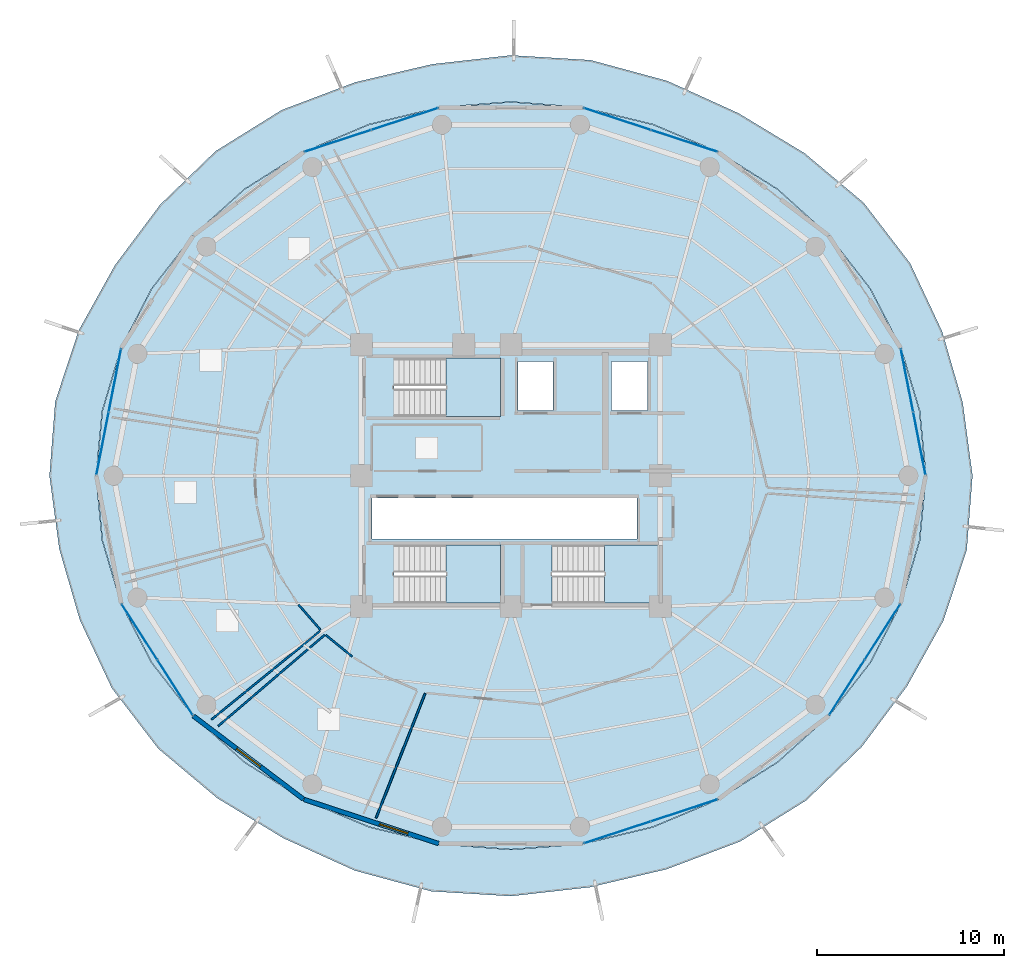
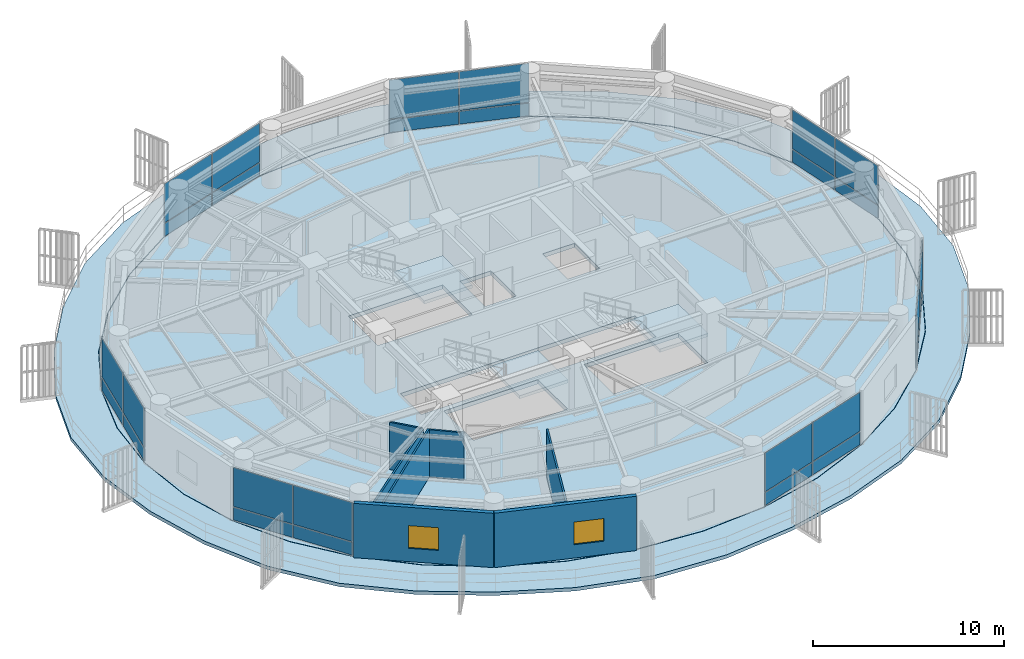
# One storey, part 24 of 31: 28 plates, 7 walls, 5 slabs, 2 windows, 2 openings, 10 elements without a shape of their own.
"""IFC4 building model written with IfcOpenShell, lengths in metres."""

from ifc_helpers import new_model, si_unit, direction, frame, frame_2d, origin, origin_2d, place, context, subcontext, project, spatial, polyline, rectangle, outline, extrude, source, transform, mapped, material, layer, layer_set, type_object, element, fill, aggregate, save


model = new_model("IFC4")

# Units and contexts
model_context = context("Model", 3, precision=1e-05, world=origin(), true_north=direction((0.0, 1.0)))
body_context = subcontext(model_context, "Body", "Model", "MODEL_VIEW")
ifc_project = project(units=[si_unit("LENGTHUNIT", "METRE"), si_unit("AREAUNIT", "SQUARE_METRE"), si_unit("VOLUMEUNIT", "CUBIC_METRE"), si_unit("PLANEANGLEUNIT", "RADIAN"), si_unit("MASSUNIT", "GRAM", prefix="KILO")], contexts=[model_context])

# Site, building, storey
site_placement = place(None, origin())
site = spatial("IfcSite", under=ifc_project, at=site_placement, CompositionType="ELEMENT")
building_placement = place(site_placement, origin())
building = spatial("IfcBuilding", under=site, at=building_placement, Name="Kelanora Arch Commons", CompositionType="ELEMENT")
storey_placement = place(building_placement, frame((0.0, 0.0, 193.199951171875)))
storey = spatial("IfcBuildingStorey", under=building, at=storey_placement, Name="L49", CompositionType="ELEMENT", Elevation=193.199951171875)

# Stair, slab
ifc_material_1 = material(Name="Concrete C40/50", Category="concrete")
stair_type = type_object("IfcStairType", Name="STR-DL-375", PredefinedType="HALF_TURN_STAIR", material=ifc_material_1)
stair_1_placement = place(storey_placement, origin())
stair_1 = element("IfcStair", 1, at=stair_1_placement, inside=storey, type_object=stair_type, Name="L49 ST-T1", PredefinedType="HALF_TURN_STAIR")
ifc_layer_1 = layer(ifc_material_1, 0.199951171875)
ifc_layer_set_1 = layer_set([ifc_layer_1], Name="Concrete C40/50")
slab_type_1 = type_object("IfcSlabType", Name="SLB-STAIR-LND", PredefinedType="LANDING", material=ifc_layer_set_1)
slab_1_placement = place(storey_placement, frame((0.0, 0.0, 1.675048828125)))
slab_1 = element("IfcSlab", 2, at=slab_1_placement, type_object=slab_type_1, Name="ST-T1 landing 1", PredefinedType="LANDING", context=body_context, shape_type="SweptSolid", body=[
    extrude(outline(polyline([(70.52001953125, 61.179931640625), (73.43994140625, 61.179931640625), (73.43994140625, 64.2900390625), (70.52001953125, 64.2900390625), (70.52001953125, 61.179931640625)])), origin(), (0.0, 0.0, 1.0), 0.199951171875),
])
aggregate(stair_1, [slab_1])

stair_2_placement = place(storey_placement, origin())
stair_2 = element("IfcStair", 3, at=stair_2_placement, inside=storey, type_object=stair_type, Name="L49 ST-T2", PredefinedType="HALF_TURN_STAIR")
slab_2_placement = place(storey_placement, frame((0.0, 0.0, 1.675048828125)))
slab_2 = element("IfcSlab", 4, at=slab_2_placement, type_object=slab_type_1, Name="ST-T2 landing 1", PredefinedType="LANDING", context=body_context, shape_type="SweptSolid", body=[
    extrude(outline(polyline([(79.0, 51.179931640625), (81.919921875, 51.179931640625), (81.919921875, 54.2900390625), (79.0, 54.2900390625), (79.0, 51.179931640625)])), origin(), (0.0, 0.0, 1.0), 0.199951171875),
])
aggregate(stair_2, [slab_2])

stair_3_placement = place(storey_placement, origin())
stair_3 = element("IfcStair", 5, at=stair_3_placement, inside=storey, type_object=stair_type, Name="L49 ST-T3", PredefinedType="HALF_TURN_STAIR")
slab_3_placement = place(storey_placement, frame((0.0, 0.0, 1.675048828125)))
slab_3 = element("IfcSlab", 6, at=slab_3_placement, type_object=slab_type_1, Name="ST-T3 landing 1", PredefinedType="LANDING", context=body_context, shape_type="SweptSolid", body=[
    extrude(outline(polyline([(70.52001953125, 51.179931640625), (73.43994140625, 51.179931640625), (73.43994140625, 54.2900390625), (70.52001953125, 54.2900390625), (70.52001953125, 51.179931640625)])), origin(), (0.0, 0.0, 1.0), 0.199951171875),
])
aggregate(stair_3, [slab_3])

# Slabs
ifc_layer_2 = layer(ifc_material_1, 0.260009765625)
ifc_layer_set_2 = layer_set([ifc_layer_2], Name="Concrete C40/50")
slab_type_2 = type_object("IfcSlabType", Name="SLB-TWR-TYP", PredefinedType="FLOOR", material=ifc_layer_set_2)
slab_4_placement = place(storey_placement, frame((0.0, 0.0, -0.260009765625)))
element("IfcSlab", 7, at=slab_4_placement, inside=storey, type_object=slab_type_2, Name="Tower Floor Slab L49", PredefinedType="FLOOR", context=body_context, shape_type="SweptSolid", body=[
    extrude(outline(polyline([(96.199951171875, 58.0), (95.86279296875, 61.472900390625), (94.861083984375, 64.84033203125), (93.225830078125, 68.0), (91.006103515625, 70.855712890625), (88.27001953125, 73.32080078125), (85.10009765625, 75.320556640625), (81.5927734375, 76.7939453125), (77.85498046875, 77.6962890625), (74.0, 78.0), (70.14501953125, 77.6962890625), (66.4072265625, 76.7939453125), (62.89990234375, 75.320556640625), (59.72998046875, 73.32080078125), (56.993896484375, 70.855712890625), (54.774169921875, 68.0), (53.138916015625, 64.84033203125), (52.13720703125, 61.472900390625), (51.800048828125, 58.0), (52.13720703125, 54.527099609375), (53.138916015625, 51.15966796875), (54.774169921875, 48.0), (56.993896484375, 45.144287109375), (59.72998046875, 42.67919921875), (62.89990234375, 40.679443359375), (66.4072265625, 39.2060546875), (70.14501953125, 38.3037109375), (74.0, 38.0), (77.85498046875, 38.3037109375), (81.5927734375, 39.2060546875), (85.10009765625, 40.679443359375), (88.27001953125, 42.67919921875), (91.006103515625, 45.144287109375), (93.225830078125, 48.0), (94.861083984375, 51.15966796875), (95.86279296875, 54.527099609375), (96.199951171875, 58.0)]), holes=[polyline([(73.431884765625, 51.18798828125), (67.72802734375, 51.18798828125), (67.72802734375, 54.281982421875), (73.431884765625, 54.281982421875), (73.431884765625, 51.18798828125)]), polyline([(76.2080078125, 51.18798828125), (76.2080078125, 54.281982421875), (81.912109375, 54.281982421875), (81.912109375, 51.18798828125), (76.2080078125, 51.18798828125)]), polyline([(66.550048828125, 54.60009765625), (66.550048828125, 56.800048828125), (80.75, 56.800048828125), (80.75, 54.60009765625), (66.550048828125, 54.60009765625)]), polyline([(73.431884765625, 61.18798828125), (67.72802734375, 61.18798828125), (67.72802734375, 64.281982421875), (73.431884765625, 64.281982421875), (73.431884765625, 61.18798828125)]), polyline([(74.3798828125, 61.47998046875), (74.3798828125, 64.1201171875), (76.260009765625, 64.1201171875), (76.260009765625, 61.47998046875), (74.3798828125, 61.47998046875)]), polyline([(79.3798828125, 61.47998046875), (79.3798828125, 64.1201171875), (81.320068359375, 64.1201171875), (81.320068359375, 61.47998046875), (79.3798828125, 61.47998046875)])]), origin(), (0.0, 0.0, 1.0), 0.260009765625),
])
ifc_layer_3 = layer(ifc_material_1, 0.219970703125)
ifc_layer_set_3 = layer_set([ifc_layer_3], Name="Concrete C40/50")
slab_type_3 = type_object("IfcSlabType", Name="SLB-WAVE-BAL", PredefinedType="FLOOR", material=ifc_layer_set_3)
slab_5_placement = place(storey_placement, frame((0.0, 0.0, -0.219970703125)))
element("IfcSlab", 8, at=slab_5_placement, inside=storey, type_object=slab_type_3, Name="Sinusoidal Wave Balcony Slab L49", PredefinedType="FLOOR", context=body_context, shape_type="SweptSolid", body=[
    extrude(outline(polyline([(98.70556640625, 58.0), (98.179443359375, 61.926513671875), (97.07470703125, 65.734619140625), (95.36572265625, 69.371337890625), (92.8857421875, 72.606201171875), (89.731201171875, 75.254150390625), (86.1826171875, 77.402099609375), (82.36083984375, 79.1357421875), (78.26025390625, 80.246826171875), (74.0, 80.505615234375), (69.774658203125, 80.027587890625), (65.663330078125, 79.0625), (61.72705078125, 77.575439453125), (58.18115234375, 75.369873046875), (55.220458984375, 72.507568359375), (52.798583984375, 69.26611328125), (50.853759765625, 65.763671875), (49.6025390625, 61.968994140625), (49.29443359375, 58.0), (49.820556640625, 54.073486328125), (50.92529296875, 50.265380859375), (52.63427734375, 46.628662109375), (55.1142578125, 43.393798828125), (58.268798828125, 40.745849609375), (61.8173828125, 38.597900390625), (65.63916015625, 36.8642578125), (69.73974609375, 35.753173828125), (74.0, 35.494384765625), (78.225341796875, 35.972412109375), (82.336669921875, 36.9375), (86.27294921875, 38.424560546875), (89.81884765625, 40.630126953125), (92.779541015625, 43.492431640625), (95.201416015625, 46.73388671875), (97.146240234375, 50.236328125), (98.3974609375, 54.031005859375), (98.70556640625, 58.0)]), holes=[polyline([(95.88232421875, 54.523681640625), (94.8798828125, 51.15283203125), (93.2431640625, 47.989990234375), (91.021484375, 45.13134765625), (88.28271484375, 42.663818359375), (85.110107421875, 40.662109375), (81.599609375, 39.1875), (77.8583984375, 38.2841796875), (74.0, 37.97998046875), (70.1416015625, 38.2841796875), (66.400390625, 39.1875), (62.889892578125, 40.662109375), (59.71728515625, 42.663818359375), (56.978515625, 45.13134765625), (54.7568359375, 47.989990234375), (53.1201171875, 51.15283203125), (52.11767578125, 54.523681640625), (51.780029296875, 58.0), (52.11767578125, 61.476318359375), (53.1201171875, 64.84716796875), (54.7568359375, 68.010009765625), (56.978515625, 70.86865234375), (59.71728515625, 73.336181640625), (62.889892578125, 75.337890625), (66.400390625, 76.8125), (70.1416015625, 77.7158203125), (74.0, 78.02001953125), (77.8583984375, 77.7158203125), (81.599609375, 76.8125), (85.110107421875, 75.337890625), (88.28271484375, 73.336181640625), (91.021484375, 70.86865234375), (93.2431640625, 68.010009765625), (94.8798828125, 64.84716796875), (95.88232421875, 61.476318359375), (96.219970703125, 58.0), (95.88232421875, 54.523681640625)])]), origin(), (0.0, 0.0, 1.0), 0.219970703125),
])

# Curtain wall, plates
ifc_material_2 = material(Name="Terracotta ceramic-fritted low-E glass and aluminium", Category="masonry")
ifc_layer_4 = layer(ifc_material_2, 0.175048828125)
ifc_layer_set_4 = layer_set([ifc_layer_4], Name="Terracotta ceramic-fritted low-E glass and aluminium")
curtain_wall_type = type_object("IfcCurtainWallType", Name="CW-SYS-02", PredefinedType="NOTDEFINED", material=ifc_layer_set_4)
curtain_wall_1_placement = place(storey_placement, origin())
curtain_wall_1 = element("IfcCurtainWall", 9, at=curtain_wall_1_placement, inside=storey, type_object=curtain_wall_type, Name="Unitised Curtain Wall L49-B00", PredefinedType="NOTDEFINED")
ifc_material_3 = material(Name="Terracotta ceramic-fritted double glazing", Category="masonry")
ifc_layer_5 = layer(ifc_material_3, 0.028076171875)
ifc_layer_set_5 = layer_set([ifc_layer_5], Name="Terracotta ceramic-fritted double glazing")
plate_type = type_object("IfcPlateType", Name="CWP-FRIT", PredefinedType="CURTAIN_PANEL", material=ifc_layer_set_5)
shared_shape_1 = source(origin(), body_context, "Body", "SweptSolid", [
    extrude(rectangle(XDim=3.380126953125, YDim=0.028076171875, at=origin_2d()), origin(), (0.0, 0.0, 1.0), 0.81005859375),
])
plate_1_placement = place(storey_placement, frame((95.861083984375, 59.732177734375, 0.06005859375), z_axis=(0.0, 0.0, 1.0), x_axis=(-0.192068926335, 0.981381438349, 0.0)))
plate_1 = element("IfcPlate", 10, at=plate_1_placement, type_object=plate_type, Name="CW-02 panel 1.1", PredefinedType="CURTAIN_PANEL", context=body_context, shape_type="MappedRepresentation", body=[
    mapped(shared_shape_1, transform((0.0, 0.0, 0.0), scale=1.0)),
])
plate_2_placement = place(storey_placement, frame((95.2001953125, 63.108154296875, 0.06005859375), z_axis=(0.0, 0.0, 1.0), x_axis=(-0.192068926335, 0.981381438349, 0.0)))
plate_2 = element("IfcPlate", 11, at=plate_2_placement, type_object=plate_type, Name="CW-02 panel 2.1", PredefinedType="CURTAIN_PANEL", context=body_context, shape_type="MappedRepresentation", body=[
    mapped(shared_shape_1, transform((0.0, 0.0, 0.0), scale=1.0)),
])

curtain_wall_2_placement = place(storey_placement, origin())
curtain_wall_2 = element("IfcCurtainWall", 12, at=curtain_wall_2_placement, inside=storey, type_object=curtain_wall_type, Name="Unitised Curtain Wall L49-B08", PredefinedType="NOTDEFINED")
plate_3_placement = place(storey_placement, frame((52.7998046875, 63.108154296875, 0.06005859375), z_axis=(0.0, 0.0, 1.0), x_axis=(-0.192068926335, -0.981381438349, 0.0)))
plate_3 = element("IfcPlate", 13, at=plate_3_placement, type_object=plate_type, Name="CW-02 panel 1.1", PredefinedType="CURTAIN_PANEL", context=body_context, shape_type="MappedRepresentation", body=[
    mapped(shared_shape_1, transform((0.0, 0.0, 0.0), scale=1.0)),
])
plate_4_placement = place(storey_placement, frame((52.138916015625, 59.732177734375, 0.06005859375), z_axis=(0.0, 0.0, 1.0), x_axis=(-0.192068926335, -0.981381438349, 0.0)))
plate_4 = element("IfcPlate", 14, at=plate_4_placement, type_object=plate_type, Name="CW-02 panel 2.1", PredefinedType="CURTAIN_PANEL", context=body_context, shape_type="MappedRepresentation", body=[
    mapped(shared_shape_1, transform((0.0, 0.0, 0.0), scale=1.0)),
])

# Plate
shared_shape_2 = source(origin(), body_context, "Body", "SweptSolid", [
    extrude(rectangle(XDim=3.380126953125, YDim=0.028076171875, at=origin_2d()), origin(), (0.0, 0.0, 1.0), 2.485107421875),
])
plate_5_placement = place(storey_placement, frame((95.861083984375, 59.732177734375, 0.93017578125), z_axis=(0.0, 0.0, 1.0), x_axis=(-0.192068926335, 0.981381438349, 0.0)))
plate_5 = element("IfcPlate", 15, at=plate_5_placement, type_object=plate_type, Name="CW-02 panel 1.2", PredefinedType="CURTAIN_PANEL", context=body_context, shape_type="MappedRepresentation", body=[
    mapped(shared_shape_2, transform((0.0, 0.0, 0.0), scale=1.0)),
])

plate_6_placement = place(storey_placement, frame((95.2001953125, 63.108154296875, 0.93017578125), z_axis=(0.0, 0.0, 1.0), x_axis=(-0.192068926335, 0.981381438349, 0.0)))
plate_6 = element("IfcPlate", 16, at=plate_6_placement, type_object=plate_type, Name="CW-02 panel 2.2", PredefinedType="CURTAIN_PANEL", context=body_context, shape_type="MappedRepresentation", body=[
    mapped(shared_shape_2, transform((0.0, 0.0, 0.0), scale=1.0)),
])

aggregate(curtain_wall_1, [plate_1, plate_5, plate_2, plate_6])

plate_7_placement = place(storey_placement, frame((52.7998046875, 63.108154296875, 0.93017578125), z_axis=(0.0, 0.0, 1.0), x_axis=(-0.192068926335, -0.981381438349, 0.0)))
plate_7 = element("IfcPlate", 17, at=plate_7_placement, type_object=plate_type, Name="CW-02 panel 1.2", PredefinedType="CURTAIN_PANEL", context=body_context, shape_type="MappedRepresentation", body=[
    mapped(shared_shape_2, transform((0.0, 0.0, 0.0), scale=1.0)),
])

plate_8_placement = place(storey_placement, frame((52.138916015625, 59.732177734375, 0.93017578125), z_axis=(0.0, 0.0, 1.0), x_axis=(-0.192068926335, -0.981381438349, 0.0)))
plate_8 = element("IfcPlate", 18, at=plate_8_placement, type_object=plate_type, Name="CW-02 panel 2.2", PredefinedType="CURTAIN_PANEL", context=body_context, shape_type="MappedRepresentation", body=[
    mapped(shared_shape_2, transform((0.0, 0.0, 0.0), scale=1.0)),
])

aggregate(curtain_wall_2, [plate_3, plate_7, plate_4, plate_8])

# Curtain wall, plates
curtain_wall_3_placement = place(storey_placement, origin())
curtain_wall_3 = element("IfcCurtainWall", 19, at=curtain_wall_3_placement, inside=storey, type_object=curtain_wall_type, Name="Unitised Curtain Wall L49-B03", PredefinedType="NOTDEFINED")
shared_shape_3 = source(origin(), body_context, "Body", "SweptSolid", [
    extrude(rectangle(XDim=3.707275390625, YDim=0.028076171875, at=origin_2d()), origin(), (0.0, 0.0, 1.0), 0.81005859375),
])
plate_9_placement = place(storey_placement, frame((83.267333984375, 75.92138671875, 0.06005859375), z_axis=(0.0, 0.0, 1.0), x_axis=(-0.950219124029, 0.311582439059, 0.0)))
plate_9 = element("IfcPlate", 20, at=plate_9_placement, type_object=plate_type, Name="CW-02 panel 1.1", PredefinedType="CURTAIN_PANEL", context=body_context, shape_type="MappedRepresentation", body=[
    mapped(shared_shape_3, transform((0.0, 0.0, 0.0), scale=1.0)),
])
plate_10_placement = place(storey_placement, frame((79.687744140625, 77.09521484375, 0.06005859375), z_axis=(0.0, 0.0, 1.0), x_axis=(-0.950219124029, 0.311582439059, 0.0)))
plate_10 = element("IfcPlate", 21, at=plate_10_placement, type_object=plate_type, Name="CW-02 panel 2.1", PredefinedType="CURTAIN_PANEL", context=body_context, shape_type="MappedRepresentation", body=[
    mapped(shared_shape_3, transform((0.0, 0.0, 0.0), scale=1.0)),
])

curtain_wall_4_placement = place(storey_placement, origin())
curtain_wall_4 = element("IfcCurtainWall", 22, at=curtain_wall_4_placement, inside=storey, type_object=curtain_wall_type, Name="Unitised Curtain Wall L49-B05", PredefinedType="NOTDEFINED")
plate_11_placement = place(storey_placement, frame((68.312255859375, 77.09521484375, 0.06005859375), z_axis=(0.0, 0.0, 1.0), x_axis=(-0.950219124029, -0.311582439059, 0.0)))
plate_11 = element("IfcPlate", 23, at=plate_11_placement, type_object=plate_type, Name="CW-02 panel 1.1", PredefinedType="CURTAIN_PANEL", context=body_context, shape_type="MappedRepresentation", body=[
    mapped(shared_shape_3, transform((0.0, 0.0, 0.0), scale=1.0)),
])
plate_12_placement = place(storey_placement, frame((64.732666015625, 75.92138671875, 0.06005859375), z_axis=(0.0, 0.0, 1.0), x_axis=(-0.950219124029, -0.311582439059, 0.0)))
plate_12 = element("IfcPlate", 24, at=plate_12_placement, type_object=plate_type, Name="CW-02 panel 2.1", PredefinedType="CURTAIN_PANEL", context=body_context, shape_type="MappedRepresentation", body=[
    mapped(shared_shape_3, transform((0.0, 0.0, 0.0), scale=1.0)),
])

curtain_wall_5_placement = place(storey_placement, origin())
curtain_wall_5 = element("IfcCurtainWall", 25, at=curtain_wall_5_placement, inside=storey, type_object=curtain_wall_type, Name="Unitised Curtain Wall L49-B14", PredefinedType="NOTDEFINED")
plate_13_placement = place(storey_placement, frame((79.687744140625, 38.90478515625, 0.06005859375), z_axis=(0.0, 0.0, 1.0), x_axis=(0.950219124029, 0.311582439059, 0.0)))
plate_13 = element("IfcPlate", 26, at=plate_13_placement, type_object=plate_type, Name="CW-02 panel 1.1", PredefinedType="CURTAIN_PANEL", context=body_context, shape_type="MappedRepresentation", body=[
    mapped(shared_shape_3, transform((0.0, 0.0, 0.0), scale=1.0)),
])
plate_14_placement = place(storey_placement, frame((83.267333984375, 40.07861328125, 0.06005859375), z_axis=(0.0, 0.0, 1.0), x_axis=(0.950219124029, 0.311582439059, 0.0)))
plate_14 = element("IfcPlate", 27, at=plate_14_placement, type_object=plate_type, Name="CW-02 panel 2.1", PredefinedType="CURTAIN_PANEL", context=body_context, shape_type="MappedRepresentation", body=[
    mapped(shared_shape_3, transform((0.0, 0.0, 0.0), scale=1.0)),
])

# Plate
shared_shape_4 = source(origin(), body_context, "Body", "SweptSolid", [
    extrude(rectangle(XDim=3.707275390625, YDim=0.028076171875, at=origin_2d()), origin(), (0.0, 0.0, 1.0), 2.485107421875),
])
plate_15_placement = place(storey_placement, frame((83.267333984375, 75.92138671875, 0.93017578125), z_axis=(0.0, 0.0, 1.0), x_axis=(-0.950219124029, 0.311582439059, 0.0)))
plate_15 = element("IfcPlate", 28, at=plate_15_placement, type_object=plate_type, Name="CW-02 panel 1.2", PredefinedType="CURTAIN_PANEL", context=body_context, shape_type="MappedRepresentation", body=[
    mapped(shared_shape_4, transform((0.0, 0.0, 0.0), scale=1.0)),
])

plate_16_placement = place(storey_placement, frame((79.687744140625, 77.09521484375, 0.93017578125), z_axis=(0.0, 0.0, 1.0), x_axis=(-0.950219124029, 0.311582439059, 0.0)))
plate_16 = element("IfcPlate", 29, at=plate_16_placement, type_object=plate_type, Name="CW-02 panel 2.2", PredefinedType="CURTAIN_PANEL", context=body_context, shape_type="MappedRepresentation", body=[
    mapped(shared_shape_4, transform((0.0, 0.0, 0.0), scale=1.0)),
])

aggregate(curtain_wall_3, [plate_9, plate_15, plate_10, plate_16])

plate_17_placement = place(storey_placement, frame((68.312255859375, 77.09521484375, 0.93017578125), z_axis=(0.0, 0.0, 1.0), x_axis=(-0.950219124029, -0.311582439059, 0.0)))
plate_17 = element("IfcPlate", 30, at=plate_17_placement, type_object=plate_type, Name="CW-02 panel 1.2", PredefinedType="CURTAIN_PANEL", context=body_context, shape_type="MappedRepresentation", body=[
    mapped(shared_shape_4, transform((0.0, 0.0, 0.0), scale=1.0)),
])

plate_18_placement = place(storey_placement, frame((64.732666015625, 75.92138671875, 0.93017578125), z_axis=(0.0, 0.0, 1.0), x_axis=(-0.950219124029, -0.311582439059, 0.0)))
plate_18 = element("IfcPlate", 31, at=plate_18_placement, type_object=plate_type, Name="CW-02 panel 2.2", PredefinedType="CURTAIN_PANEL", context=body_context, shape_type="MappedRepresentation", body=[
    mapped(shared_shape_4, transform((0.0, 0.0, 0.0), scale=1.0)),
])

aggregate(curtain_wall_4, [plate_11, plate_17, plate_12, plate_18])

plate_19_placement = place(storey_placement, frame((79.687744140625, 38.90478515625, 0.93017578125), z_axis=(0.0, 0.0, 1.0), x_axis=(0.950219124029, 0.311582439059, 0.0)))
plate_19 = element("IfcPlate", 32, at=plate_19_placement, type_object=plate_type, Name="CW-02 panel 1.2", PredefinedType="CURTAIN_PANEL", context=body_context, shape_type="MappedRepresentation", body=[
    mapped(shared_shape_4, transform((0.0, 0.0, 0.0), scale=1.0)),
])

plate_20_placement = place(storey_placement, frame((83.267333984375, 40.07861328125, 0.93017578125), z_axis=(0.0, 0.0, 1.0), x_axis=(0.950219124029, 0.311582439059, 0.0)))
plate_20 = element("IfcPlate", 33, at=plate_20_placement, type_object=plate_type, Name="CW-02 panel 2.2", PredefinedType="CURTAIN_PANEL", context=body_context, shape_type="MappedRepresentation", body=[
    mapped(shared_shape_4, transform((0.0, 0.0, 0.0), scale=1.0)),
])

aggregate(curtain_wall_5, [plate_13, plate_19, plate_14, plate_20])

# Curtain wall, plates
curtain_wall_6_placement = place(storey_placement, origin())
curtain_wall_6 = element("IfcCurtainWall", 34, at=curtain_wall_6_placement, inside=storey, type_object=curtain_wall_type, Name="Unitised Curtain Wall L49-B10", PredefinedType="NOTDEFINED")
shared_shape_5 = source(origin(), body_context, "Body", "SweptSolid", [
    extrude(rectangle(XDim=3.46728515625, YDim=0.028076171875, at=origin_2d()), origin(), (0.0, 0.0, 1.0), 0.81005859375),
])
plate_21_placement = place(storey_placement, frame((54.11474609375, 49.63671875, 0.06005859375), z_axis=(0.0, 0.0, 1.0), x_axis=(0.539559338994, -0.84194757539, 0.0)))
plate_21 = element("IfcPlate", 35, at=plate_21_placement, type_object=plate_type, Name="CW-02 panel 1.1", PredefinedType="CURTAIN_PANEL", context=body_context, shape_type="MappedRepresentation", body=[
    mapped(shared_shape_5, transform((0.0, 0.0, 0.0), scale=1.0)),
])
plate_22_placement = place(storey_placement, frame((56.017822265625, 46.6669921875, 0.06005859375), z_axis=(0.0, 0.0, 1.0), x_axis=(0.539559338994, -0.84194757539, 0.0)))
plate_22 = element("IfcPlate", 36, at=plate_22_placement, type_object=plate_type, Name="CW-02 panel 2.1", PredefinedType="CURTAIN_PANEL", context=body_context, shape_type="MappedRepresentation", body=[
    mapped(shared_shape_5, transform((0.0, 0.0, 0.0), scale=1.0)),
])

curtain_wall_7_placement = place(storey_placement, origin())
curtain_wall_7 = element("IfcCurtainWall", 37, at=curtain_wall_7_placement, inside=storey, type_object=curtain_wall_type, Name="Unitised Curtain Wall L49-B16", PredefinedType="NOTDEFINED")
plate_23_placement = place(storey_placement, frame((91.982177734375, 46.6669921875, 0.06005859375), z_axis=(0.0, 0.0, 1.0), x_axis=(0.539559338994, 0.84194757539, 0.0)))
plate_23 = element("IfcPlate", 38, at=plate_23_placement, type_object=plate_type, Name="CW-02 panel 1.1", PredefinedType="CURTAIN_PANEL", context=body_context, shape_type="MappedRepresentation", body=[
    mapped(shared_shape_5, transform((0.0, 0.0, 0.0), scale=1.0)),
])
plate_24_placement = place(storey_placement, frame((93.88525390625, 49.63671875, 0.06005859375), z_axis=(0.0, 0.0, 1.0), x_axis=(0.539559338994, 0.84194757539, 0.0)))
plate_24 = element("IfcPlate", 39, at=plate_24_placement, type_object=plate_type, Name="CW-02 panel 2.1", PredefinedType="CURTAIN_PANEL", context=body_context, shape_type="MappedRepresentation", body=[
    mapped(shared_shape_5, transform((0.0, 0.0, 0.0), scale=1.0)),
])

# Plate
shared_shape_6 = source(origin(), body_context, "Body", "SweptSolid", [
    extrude(rectangle(XDim=3.46728515625, YDim=0.028076171875, at=origin_2d()), origin(), (0.0, 0.0, 1.0), 2.485107421875),
])
plate_25_placement = place(storey_placement, frame((54.11474609375, 49.63671875, 0.93017578125), z_axis=(0.0, 0.0, 1.0), x_axis=(0.539559338994, -0.84194757539, 0.0)))
plate_25 = element("IfcPlate", 40, at=plate_25_placement, type_object=plate_type, Name="CW-02 panel 1.2", PredefinedType="CURTAIN_PANEL", context=body_context, shape_type="MappedRepresentation", body=[
    mapped(shared_shape_6, transform((0.0, 0.0, 0.0), scale=1.0)),
])

plate_26_placement = place(storey_placement, frame((56.017822265625, 46.6669921875, 0.93017578125), z_axis=(0.0, 0.0, 1.0), x_axis=(0.539559338994, -0.84194757539, 0.0)))
plate_26 = element("IfcPlate", 41, at=plate_26_placement, type_object=plate_type, Name="CW-02 panel 2.2", PredefinedType="CURTAIN_PANEL", context=body_context, shape_type="MappedRepresentation", body=[
    mapped(shared_shape_6, transform((0.0, 0.0, 0.0), scale=1.0)),
])

aggregate(curtain_wall_6, [plate_21, plate_25, plate_22, plate_26])

plate_27_placement = place(storey_placement, frame((91.982177734375, 46.6669921875, 0.93017578125), z_axis=(0.0, 0.0, 1.0), x_axis=(0.539559338994, 0.84194757539, 0.0)))
plate_27 = element("IfcPlate", 42, at=plate_27_placement, type_object=plate_type, Name="CW-02 panel 1.2", PredefinedType="CURTAIN_PANEL", context=body_context, shape_type="MappedRepresentation", body=[
    mapped(shared_shape_6, transform((0.0, 0.0, 0.0), scale=1.0)),
])

plate_28_placement = place(storey_placement, frame((93.88525390625, 49.63671875, 0.93017578125), z_axis=(0.0, 0.0, 1.0), x_axis=(0.539559338994, 0.84194757539, 0.0)))
plate_28 = element("IfcPlate", 43, at=plate_28_placement, type_object=plate_type, Name="CW-02 panel 2.2", PredefinedType="CURTAIN_PANEL", context=body_context, shape_type="MappedRepresentation", body=[
    mapped(shared_shape_6, transform((0.0, 0.0, 0.0), scale=1.0)),
])

aggregate(curtain_wall_7, [plate_23, plate_27, plate_24, plate_28])

# Wall, opening, window
ifc_material_4 = material(Name="Precast concrete C40/50 upper-zone terracotta rainscreen", Category="masonry")
ifc_layer_6 = layer(ifc_material_4, 0.239990234375)
ifc_layer_set_6 = layer_set([ifc_layer_6], Name="Precast concrete C40/50 upper-zone terracotta rainscreen")
wall_type_1 = type_object("IfcWallType", Name="W-EXT-TC2", PredefinedType="SOLIDWALL", material=ifc_layer_set_6)
wall_1_placement = place(storey_placement, frame((57.005859375, 45.13525390625, 0.0), z_axis=(0.0, 0.0, 1.0), x_axis=(0.797701674595, -0.603052268338, 0.0)))
wall_1 = element("IfcWall", 44, at=wall_1_placement, inside=storey, type_object=wall_type_1, Name="Terracotta Exterior Wall L49-B11", PredefinedType="SOLIDWALL", context=body_context, shape_type="SweptSolid", body=[
    extrude(rectangle(XDim=7.373779296875, YDim=0.239990234375, at=frame_2d((3.68701171875, 0.0))), origin(), (0.0, 0.0, 1.0), 3.47509765625),
])
opening_1_placement = place(wall_1_placement, frame((2.886962890625, 0.0, 0.85009765625)))
opening_1 = element("IfcOpeningElement", 45, at=opening_1_placement, cuts=wall_1, Name="Opening WN-01", PredefinedType="OPENING", context=body_context, shape_type="SweptSolid", body=[
    extrude(rectangle(XDim=1.60009765625, YDim=1.449951171875, at=frame_2d((0.800048828125, 0.72509765625))), frame((0.0, 0.1298828125, 0.0), z_axis=(0.0, -1.0, 0.0), x_axis=(1.0, 0.0, 0.0)), (0.0, 0.0, 1.0), 0.260009765625),
])
ifc_material_5 = material(Name="Terracotta-anodised aluminium frame with operable low-E glazing", Category="masonry")
window_type = type_object("IfcWindowType", Name="WIN-CL-18", PartitioningType="DOUBLE_PANEL_VERTICAL", PredefinedType="WINDOW", material=ifc_material_5)
window_1_placement = place(opening_1_placement, origin())
window_1 = element("IfcWindow", 46, at=window_1_placement, inside=storey, type_object=window_type, Name="Co-Living Operable Window L49-B11", OverallHeight=1.449951171875, OverallWidth=1.60009765625, PartitioningType="SINGLE_PANEL", PredefinedType="WINDOW", context=body_context, shape_type="SweptSolid", body=[
    extrude(rectangle(XDim=1.60009765625, YDim=1.449951171875, at=frame_2d((0.800048828125, 0.72509765625))), frame((0.0, 0.030029296875, 0.0), z_axis=(0.0, -1.0, 0.0), x_axis=(1.0, 0.0, 0.0)), (0.0, 0.0, 1.0), 0.06005859375),
])
fill(opening_1, window_1)

wall_2_placement = place(storey_placement, frame((62.914306640625, 40.6748046875, 0.0), z_axis=(0.0, 0.0, 1.0), x_axis=(0.95022142767, -0.31157541366, 0.0)))
wall_2 = element("IfcWall", 47, at=wall_2_placement, inside=storey, type_object=wall_type_1, Name="Terracotta Exterior Wall L49-B12", PredefinedType="SOLIDWALL", context=body_context, shape_type="SweptSolid", body=[
    extrude(rectangle(XDim=7.59423828125, YDim=0.239990234375, at=frame_2d((3.797119140625, 0.0))), origin(), (0.0, 0.0, 1.0), 3.47509765625),
])
opening_2_placement = place(wall_2_placement, frame((4.257080078125, 0.0, 0.85009765625)))
opening_2 = element("IfcOpeningElement", 48, at=opening_2_placement, cuts=wall_2, Name="Opening WN-01", PredefinedType="OPENING", context=body_context, shape_type="SweptSolid", body=[
    extrude(rectangle(XDim=1.60009765625, YDim=1.449951171875, at=frame_2d((0.800048828125, 0.72509765625))), frame((0.0, 0.1298828125, 0.0), z_axis=(0.0, -1.0, 0.0), x_axis=(1.0, 0.0, 0.0)), (0.0, 0.0, 1.0), 0.260009765625),
])
window_2_placement = place(opening_2_placement, origin())
window_2 = element("IfcWindow", 49, at=window_2_placement, inside=storey, type_object=window_type, Name="Co-Living Operable Window L49-B12", OverallHeight=1.449951171875, OverallWidth=1.60009765625, PartitioningType="SINGLE_PANEL", PredefinedType="WINDOW", context=body_context, shape_type="SweptSolid", body=[
    extrude(rectangle(XDim=1.60009765625, YDim=1.449951171875, at=frame_2d((0.800048828125, 0.72509765625))), frame((0.0, 0.030029296875, 0.0), z_axis=(0.0, -1.0, 0.0), x_axis=(1.0, 0.0, 0.0)), (0.0, 0.0, 1.0), 0.06005859375),
])
fill(opening_2, window_2)

# Walls
ifc_material_6 = material(Name="Lightweight fire-rated acoustic stud partition")
ifc_layer_7 = layer(ifc_material_6, 0.10009765625)
ifc_layer_set_7 = layer_set([ifc_layer_7], Name="Lightweight fire-rated acoustic stud partition")
wall_type_2 = type_object("IfcWallType", Name="W-PART-100", PredefinedType="PARTITIONING", material=ifc_layer_set_7)
wall_3_placement = place(storey_placement, frame((66.777587890625, 39.67431640625, 0.0), z_axis=(0.0, 0.0, 1.0), x_axis=(0.366396673382, 0.930458745853, 0.0)))
element("IfcWall", 50, at=wall_3_placement, inside=storey, type_object=wall_type_2, Name="South-East Shared Study Commons L49 Enclosure Partition 10", PredefinedType="PARTITIONING", context=body_context, shape_type="SweptSolid", body=[
    extrude(rectangle(XDim=7.163818359375, YDim=0.10009765625, at=frame_2d((3.58203125, 0.0))), origin(), (0.0, 0.0, 1.0), 3.074951171875),
])
wall_4_placement = place(storey_placement, frame((62.622314453125, 51.103759765625, 0.0), z_axis=(0.0, 0.0, 1.0), x_axis=(0.656613410786, -0.754227305775, 0.0)))
element("IfcWall", 51, at=wall_4_placement, inside=storey, type_object=wall_type_2, Name="Quiet Seminar Study Room L49-04 Enclosure Partition 3", PredefinedType="PARTITIONING", context=body_context, shape_type="SweptSolid", body=[
    extrude(rectangle(XDim=1.793212890625, YDim=0.10009765625, at=frame_2d((0.896484375, 0.0))), origin(), (0.0, 0.0, 1.0), 3.025146484375),
])
wall_5_placement = place(storey_placement, frame((63.794921875, 49.69580078125, 0.0), z_axis=(0.0, 0.0, 1.0), x_axis=(-0.775218498775, -0.631693184353, 0.0)))
element("IfcWall", 52, at=wall_5_placement, inside=storey, type_object=wall_type_2, Name="Quiet Seminar Study Room L49-04 Enclosure Partition 4", PredefinedType="PARTITIONING", context=body_context, shape_type="SweptSolid", body=[
    extrude(rectangle(XDim=7.520263671875, YDim=0.10009765625, at=frame_2d((3.76025390625, 0.0))), origin(), (0.0, 0.0, 1.0), 3.025146484375),
])
wall_6_placement = place(storey_placement, frame((64.0849609375, 49.474609375, 0.0), z_axis=(0.0, 0.0, 1.0), x_axis=(0.774837468284, -0.632160499986, 0.0)))
element("IfcWall", 53, at=wall_6_placement, inside=storey, type_object=wall_type_2, Name="Communal Dining and Social Hall L49-05 Enclosure Partition 1", PredefinedType="PARTITIONING", context=body_context, shape_type="SweptSolid", body=[
    extrude(rectangle(XDim=1.827392578125, YDim=0.10009765625, at=frame_2d((0.91357421875, 0.0))), origin(), (0.0, 0.0, 1.0), 3.025146484375),
])
wall_7_placement = place(storey_placement, frame((58.325439453125, 44.596923828125, 0.0), z_axis=(0.0, 0.0, 1.0), x_axis=(0.759718239, 0.650252410476, 0.0)))
element("IfcWall", 54, at=wall_7_placement, inside=storey, type_object=wall_type_2, Name="Communal Dining and Social Hall L49-05 Enclosure Partition 8", PredefinedType="PARTITIONING", context=body_context, shape_type="SweptSolid", body=[
    extrude(rectangle(XDim=7.50048828125, YDim=0.10009765625, at=frame_2d((3.750244140625, 0.0))), origin(), (0.0, 0.0, 1.0), 3.074951171875),
])

save(model, "model.ifc")
